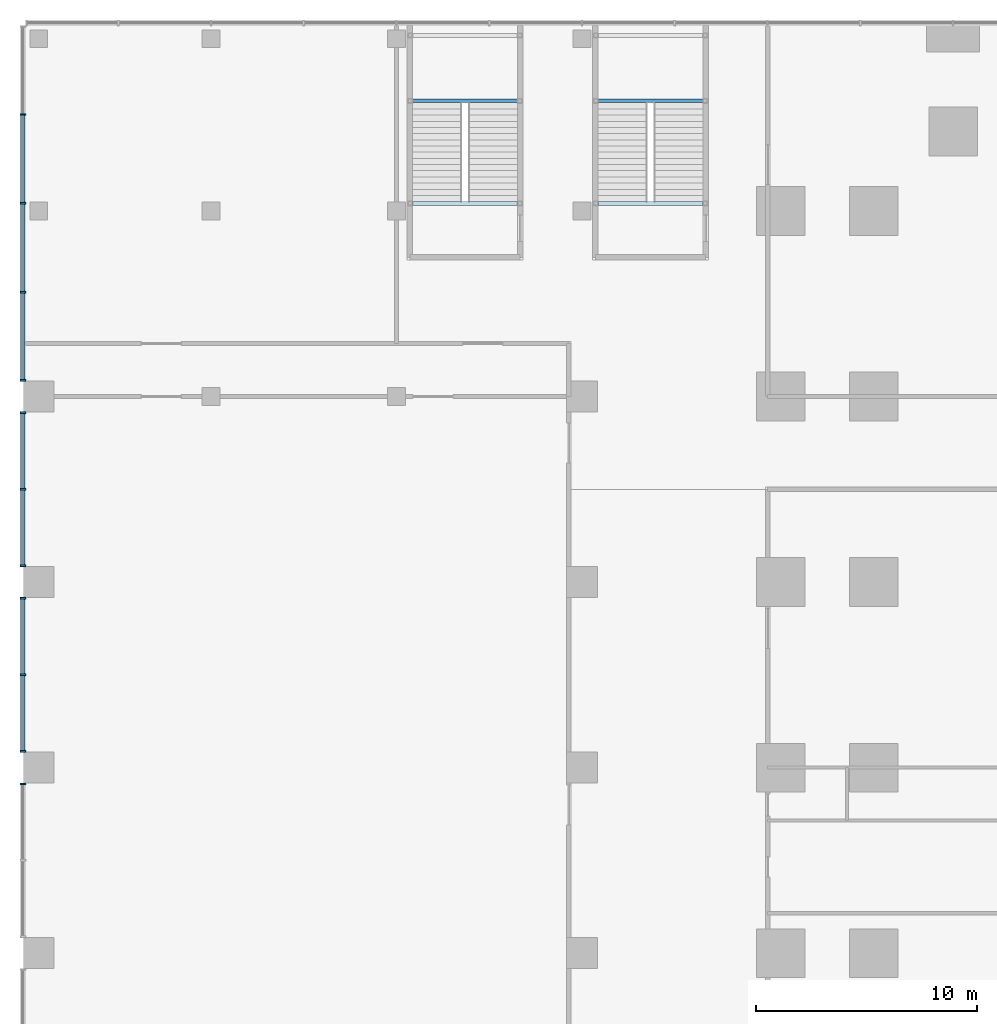
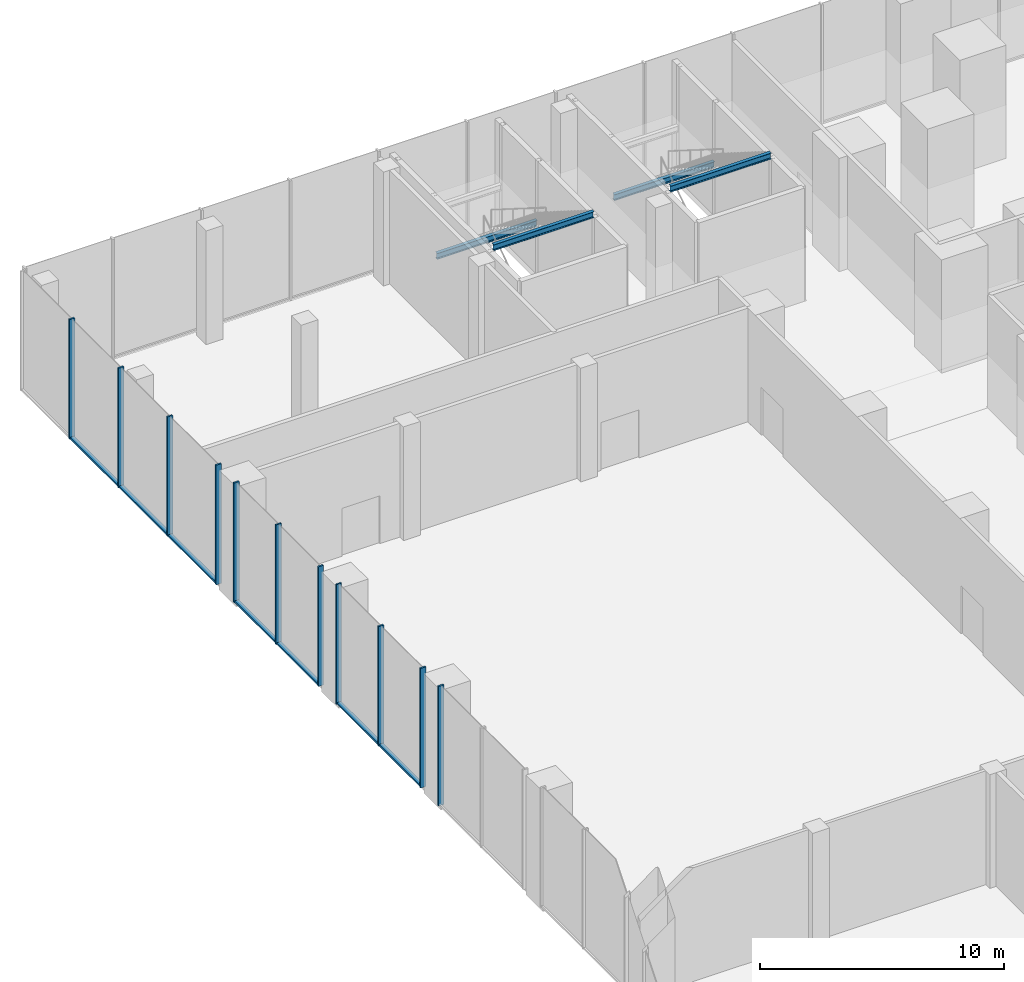
# One storey, part 17 of 32: 18 members, 4 beams, 4 elements without a shape of their own.
"""IFC4 building model written with IfcOpenShell, lengths in metres."""

import ifcopenshell
import ifcopenshell.guid

model = None  # the IFC model being written
_history = None  # IfcOwnerHistory: only IFC2X3 demands one
_inside = {}  # id of a spatial element -> (the spatial element, [elements in it])
_under = {}  # id of a project, library or spatial element -> (it, [spatial elements below it])
_declared = {}  # id of a project -> (the project, [libraries it declares])
_typed = {}  # id of a type object -> (the type object, [elements of that type])
_made_of = {}  # id of a material, layer set ... -> (it, [elements and type objects made of it])


def new_model(schema):
    """Start an empty IFC model of exactly this schema.

    Asked for "IFC4X3", IfcOpenShell would pick the latest addendum, in which some entities
    have other attributes; the version numbers below select the first issue.
    IFC2X3 requires an IfcOwnerHistory on every rooted entity: one is made here for all.
    """
    global model, _history
    if schema == "IFC4X3":
        model = ifcopenshell.file(schema_version=(4, 3, 0, 0))
    else:
        model = ifcopenshell.file(schema=schema)
    _inside.clear()
    _under.clear()
    _declared.clear()
    _typed.clear()
    _made_of.clear()
    _history = None
    if model.schema == "IFC2X3":
        org = make("IfcOrganization", Name="unknown")
        user = make(
            "IfcPersonAndOrganization",
            ThePerson=make("IfcPerson", FamilyName="unknown"),
            TheOrganization=org,
        )
        app = make(
            "IfcApplication",
            ApplicationDeveloper=org,
            Version="unknown",
            ApplicationFullName="unknown",
            ApplicationIdentifier="unknown",
        )
        _history = make(
            "IfcOwnerHistory",
            OwningUser=user,
            OwningApplication=app,
            ChangeAction="ADDED",
            CreationDate=0,
        )
    return model


def make(cls, **values):
    """One entity of the class cls with the attributes given. An attribute that is None is left unset."""
    return model.create_entity(
        cls, **{name: value for name, value in values.items() if value is not None}
    )


def rooted(cls, **values):
    """An entity with a GlobalId (a new one), such as an element, a storey or a relation."""
    return make(cls, GlobalId=ifcopenshell.guid.new(), OwnerHistory=_history, **values)


def si_unit(unit_type, name, prefix=None):
    """IfcSIUnit, for example si_unit("LENGTHUNIT", "METRE", prefix="MILLI")."""
    return make("IfcSIUnit", UnitType=unit_type, Prefix=prefix, Name=name)


def assignment(units):
    """IfcUnitAssignment: the units of a project."""
    return None if units is None else make("IfcUnitAssignment", Units=units)


def point(xyz):
    """IfcCartesianPoint."""
    return None if xyz is None else make("IfcCartesianPoint", Coordinates=xyz)


def direction(xyz):
    """IfcDirection."""
    return None if xyz is None else make("IfcDirection", DirectionRatios=xyz)


def frame(location, z_axis=None, x_axis=None):
    """IfcAxis2Placement3D, a coordinate frame: its origin and axes. An axis left out is left unset."""
    return make(
        "IfcAxis2Placement3D",
        Location=point(location),
        Axis=direction(z_axis),
        RefDirection=direction(x_axis),
    )


def frame_2d(location, x_axis=None):
    """IfcAxis2Placement2D, a coordinate frame in the plane: its origin and x axis."""
    return make(
        "IfcAxis2Placement2D", Location=point(location), RefDirection=direction(x_axis)
    )


def origin():
    """The frame at (0, 0, 0) with its axes left unset."""
    return frame((0.0, 0.0, 0.0))


def origin_2d():
    """The frame at (0, 0) in the plane with its x axis left unset."""
    return frame_2d((0.0, 0.0))


def place(relative_to, where):
    """IfcLocalPlacement: puts the frame where relative to a parent placement (None: the world)."""
    return make(
        "IfcLocalPlacement", PlacementRelTo=relative_to, RelativePlacement=where
    )


def context(
    kind, dimensions, precision=None, world=None, true_north=None, identifier=None
):
    """IfcGeometricRepresentationContext, for example the 3D "Model" context."""
    return make(
        "IfcGeometricRepresentationContext",
        ContextIdentifier=identifier,
        ContextType=kind,
        CoordinateSpaceDimension=dimensions,
        Precision=precision,
        WorldCoordinateSystem=world,
        TrueNorth=true_north,
    )


def subcontext(parent, identifier, kind, view, scale=None):
    """IfcGeometricRepresentationSubContext, for example "Body" below "Model"."""
    return make(
        "IfcGeometricRepresentationSubContext",
        ContextIdentifier=identifier,
        ContextType=kind,
        ParentContext=parent,
        TargetScale=scale,
        TargetView=view,
    )


def project(units=None, contexts=None):
    """IfcProject with its units and contexts."""
    return rooted(
        "IfcProject",
        Name="project",
        RepresentationContexts=contexts,
        UnitsInContext=assignment(units),
    )


def spatial(cls, under=None, at=None, **own):
    """A site, building, storey or space (cls), placed at a placement, below another one or the project."""
    s = rooted(cls, ObjectPlacement=at, **own)
    if under is not None:
        _under.setdefault(under.id(), (under, []))[1].append(s)
    return s


def profile(cls, at=None, kind="AREA", **sizes):
    """A parametric profile (cls). Its sizes go by their IFC names, for example OverallWidth=200.0."""
    return make(cls, ProfileType=kind, Position=at, **sizes)


def rectangle(**sizes):
    """IfcRectangleProfileDef."""
    return profile("IfcRectangleProfileDef", **sizes)


def i_section(**sizes):
    """IfcIShapeProfileDef."""
    return profile("IfcIShapeProfileDef", **sizes)


def extrude(swept, where, along, depth):
    """IfcExtrudedAreaSolid: the profile swept, set in the frame where, extruded along a direction by depth."""
    return make(
        "IfcExtrudedAreaSolid",
        SweptArea=swept,
        Position=where,
        ExtrudedDirection=direction(along),
        Depth=depth,
    )


def shape(context_of_items, identifier, shape_type, items):
    """IfcShapeRepresentation: the items that make up one representation, for example the "Body"."""
    return make(
        "IfcShapeRepresentation",
        ContextOfItems=context_of_items,
        RepresentationIdentifier=identifier,
        RepresentationType=shape_type,
        Items=items,
    )


def material(Name=None, Category=None):
    """IfcMaterial."""
    return make("IfcMaterial", Name=Name, Category=Category)


def material_profile(
    of_material, cross_section, Name=None, Category=None, Priority=None
):
    """IfcMaterialProfile: a cross section and its material."""
    return make(
        "IfcMaterialProfile",
        Name=Name,
        Material=of_material,
        Profile=cross_section,
        Priority=Priority,
        Category=Category,
    )


def profile_set(profiles, Name=None, composite=None):
    """IfcMaterialProfileSet."""
    return make(
        "IfcMaterialProfileSet",
        Name=Name,
        MaterialProfiles=profiles,
        CompositeProfile=composite,
    )


def made_of(thing, what):
    """Note that an element or type object is made of a material, layer set ...; save() writes the relation."""
    if what is not None:
        _made_of.setdefault(what.id(), (what, []))[1].append(thing)
    return thing


def type_object(cls, material=None, **own):
    """A type object (cls), such as IfcWallType, which elements share."""
    return made_of(rooted(cls, **own), material)


def element(
    cls,
    number,
    at=None,
    inside=None,
    cuts=None,
    type_object=None,
    material=None,
    context=None,
    identifier="Body",
    shape_type=None,
    held_by="IfcProductDefinitionShape",
    body=None,
    shapes=None,
    **own,
):
    """One element of the class cls, such as IfcWall. Its Tag is "e" and its number.

    at: its placement. inside: the storey or other place that contains it. cuts: it is an
    opening in that element (IfcRelVoidsElement). A single representation is given by context,
    identifier, shape_type and body (its items); several are given by shapes. held_by: the class
    of the entity that holds the representations. save() writes the other relations.
    """
    e = rooted(cls, Tag="e%d" % number, ObjectPlacement=at, **own)
    if body is not None:
        shapes = [shape(context, identifier, shape_type, body)]
    if shapes is not None:
        e.Representation = make(held_by, Representations=shapes)
    if inside is not None:
        _inside.setdefault(inside.id(), (inside, []))[1].append(e)
    if cuts is not None:
        rooted(
            "IfcRelVoidsElement", RelatingBuildingElement=cuts, RelatedOpeningElement=e
        )
    if type_object is not None:
        _typed.setdefault(type_object.id(), (type_object, []))[1].append(e)
    return made_of(e, material)


def aggregate(whole, parts):
    """IfcRelAggregates: a whole, such as a stair, and the parts it consists of."""
    return rooted("IfcRelAggregates", RelatingObject=whole, RelatedObjects=parts)


def save(model, path):
    """Write the relations noted so far, then the file.

    IfcRelAggregates (storeys below a building ...), IfcRelContainedInSpatialStructure (elements
    in a storey), IfcRelDefinesByType, IfcRelAssociatesMaterial and IfcRelDeclares: one each for
    every whole, place, type object, material and project.
    """
    for whole, parts in _under.values():
        aggregate(whole, parts)
    for where, things in _inside.values():
        rooted(
            "IfcRelContainedInSpatialStructure",
            RelatedElements=things,
            RelatingStructure=where,
        )
    for kind, things in _typed.values():
        rooted("IfcRelDefinesByType", RelatedObjects=things, RelatingType=kind)
    for what, things in _made_of.values():
        rooted("IfcRelAssociatesMaterial", RelatedObjects=things, RelatingMaterial=what)
    for by, libraries in _declared.values():
        rooted("IfcRelDeclares", RelatingContext=by, RelatedDefinitions=libraries)
    model.write(path)


model = new_model("IFC4")

# Units and contexts
model_context = context("Model", 3, precision=1e-05, world=origin(), true_north=direction((0.0, 1.0)))
body_context = subcontext(model_context, "Body", "Model", "MODEL_VIEW")
ifc_project = project(units=[si_unit("LENGTHUNIT", "METRE"), si_unit("AREAUNIT", "SQUARE_METRE"), si_unit("VOLUMEUNIT", "CUBIC_METRE"), si_unit("PLANEANGLEUNIT", "RADIAN"), si_unit("MASSUNIT", "GRAM", prefix="KILO")], contexts=[model_context])

# Site, building, storey
site_placement = place(None, origin())
site = spatial("IfcSite", under=ifc_project, at=site_placement, CompositionType="ELEMENT")
building_placement = place(site_placement, origin())
building = spatial("IfcBuilding", under=site, at=building_placement, Name="Dunama Terrace Hotel", CompositionType="ELEMENT")
storey_placement = place(building_placement, frame((0.0, 0.0, 6.0)))
storey = spatial("IfcBuildingStorey", under=building, at=storey_placement, Name="L01", CompositionType="ELEMENT", Elevation=6.0)

# Curtain wall, members
ifc_material_1 = material(Name="Aluminium curtain wall system", Category="aluminium")
curtain_wall_type = type_object("IfcCurtainWallType", Name="Podium storefront glazing CW-E", PredefinedType="NOTDEFINED", material=ifc_material_1)
curtain_wall_1_placement = place(storey_placement, origin())
curtain_wall_1 = element("IfcCurtainWall", 1, at=curtain_wall_1_placement, inside=storey, type_object=curtain_wall_type, Name="Podium storefront glazing CW-E L01", PredefinedType="NOTDEFINED")
ifc_material_2 = material(Name="Aluminium mullion", Category="aluminium")
ifc_material_profile_1 = material_profile(ifc_material_2, rectangle(XDim=0.080078125, YDim=0.25, at=origin_2d()), Name="CWE MULLION 80X250")
ifc_profile_set_1 = profile_set([ifc_material_profile_1], Name="Aluminium mullion")
member_type_1 = type_object("IfcMemberType", Name="CWE mullion 80x250", PredefinedType="MULLION", material=ifc_profile_set_1)
member_1_placement = place(storey_placement, frame((-33.72509765625, 54.77490234375, 0.0), z_axis=(0.0, 0.0, 1.0), x_axis=(0.0, -1.0, 0.0)))
member_1 = element("IfcMember", 2, at=member_1_placement, type_object=member_type_1, Name="CWE mullion", PredefinedType="MULLION", context=body_context, shape_type="SweptSolid", body=[
    extrude(rectangle(XDim=0.080078125, YDim=0.25, at=origin_2d()), origin(), (0.0, 0.0, 1.0), 6.0),
])
member_2_placement = place(storey_placement, frame((-33.72509765625, 50.75, 0.0), z_axis=(0.0, 0.0, 1.0), x_axis=(0.0, -1.0, 0.0)))
member_2 = element("IfcMember", 3, at=member_2_placement, type_object=member_type_1, Name="CWE mullion", PredefinedType="MULLION", context=body_context, shape_type="SweptSolid", body=[
    extrude(rectangle(XDim=0.080078125, YDim=0.25, at=origin_2d()), origin(), (0.0, 0.0, 1.0), 6.0),
])
member_3_placement = place(storey_placement, frame((-33.72509765625, 46.72509765625, 0.0), z_axis=(0.0, 0.0, 1.0), x_axis=(0.0, -1.0, 0.0)))
member_3 = element("IfcMember", 4, at=member_3_placement, type_object=member_type_1, Name="CWE mullion", PredefinedType="MULLION", context=body_context, shape_type="SweptSolid", body=[
    extrude(rectangle(XDim=0.080078125, YDim=0.25, at=origin_2d()), origin(), (0.0, 0.0, 1.0), 6.0),
])
member_4_placement = place(storey_placement, frame((-33.72509765625, 42.739990234375, 0.0), z_axis=(0.0, 0.0, 1.0), x_axis=(0.0, -1.0, 0.0)))
member_4 = element("IfcMember", 5, at=member_4_placement, type_object=member_type_1, Name="CWE mullion", PredefinedType="MULLION", context=body_context, shape_type="SweptSolid", body=[
    extrude(rectangle(XDim=0.080078125, YDim=0.25, at=origin_2d()), origin(), (0.0, 0.0, 1.0), 6.0),
])

curtain_wall_2_placement = place(storey_placement, origin())
curtain_wall_2 = element("IfcCurtainWall", 6, at=curtain_wall_2_placement, inside=storey, type_object=curtain_wall_type, Name="Podium storefront glazing CW-E L01", PredefinedType="NOTDEFINED")
member_5_placement = place(storey_placement, frame((-33.72509765625, 41.260009765625, 0.0), z_axis=(0.0, 0.0, 1.0), x_axis=(0.0, -1.0, 0.0)))
member_5 = element("IfcMember", 7, at=member_5_placement, type_object=member_type_1, Name="CWE mullion", PredefinedType="MULLION", context=body_context, shape_type="SweptSolid", body=[
    extrude(rectangle(XDim=0.080078125, YDim=0.25, at=origin_2d()), origin(), (0.0, 0.0, 1.0), 6.0),
])
member_6_placement = place(storey_placement, frame((-33.72509765625, 37.800048828125, 0.0), z_axis=(0.0, 0.0, 1.0), x_axis=(0.0, -1.0, 0.0)))
member_6 = element("IfcMember", 8, at=member_6_placement, type_object=member_type_1, Name="CWE mullion", PredefinedType="MULLION", context=body_context, shape_type="SweptSolid", body=[
    extrude(rectangle(XDim=0.080078125, YDim=0.25, at=origin_2d()), origin(), (0.0, 0.0, 1.0), 6.0),
])
member_7_placement = place(storey_placement, frame((-33.72509765625, 34.340087890625, 0.0), z_axis=(0.0, 0.0, 1.0), x_axis=(0.0, -1.0, 0.0)))
member_7 = element("IfcMember", 9, at=member_7_placement, type_object=member_type_1, Name="CWE mullion", PredefinedType="MULLION", context=body_context, shape_type="SweptSolid", body=[
    extrude(rectangle(XDim=0.080078125, YDim=0.25, at=origin_2d()), origin(), (0.0, 0.0, 1.0), 6.0),
])

curtain_wall_3_placement = place(storey_placement, origin())
curtain_wall_3 = element("IfcCurtainWall", 10, at=curtain_wall_3_placement, inside=storey, type_object=curtain_wall_type, Name="Podium storefront glazing CW-E L01", PredefinedType="NOTDEFINED")
member_8_placement = place(storey_placement, frame((-33.72509765625, 32.860107421875, 0.0), z_axis=(0.0, 0.0, 1.0), x_axis=(0.0, -1.0, 0.0)))
member_8 = element("IfcMember", 11, at=member_8_placement, type_object=member_type_1, Name="CWE mullion", PredefinedType="MULLION", context=body_context, shape_type="SweptSolid", body=[
    extrude(rectangle(XDim=0.080078125, YDim=0.25, at=origin_2d()), origin(), (0.0, 0.0, 1.0), 6.0),
])
member_9_placement = place(storey_placement, frame((-33.72509765625, 29.39990234375, 0.0), z_axis=(0.0, 0.0, 1.0), x_axis=(0.0, -1.0, 0.0)))
member_9 = element("IfcMember", 12, at=member_9_placement, type_object=member_type_1, Name="CWE mullion", PredefinedType="MULLION", context=body_context, shape_type="SweptSolid", body=[
    extrude(rectangle(XDim=0.080078125, YDim=0.25, at=origin_2d()), origin(), (0.0, 0.0, 1.0), 6.0),
])
member_10_placement = place(storey_placement, frame((-33.72509765625, 25.93994140625, 0.0), z_axis=(0.0, 0.0, 1.0), x_axis=(0.0, -1.0, 0.0)))
member_10 = element("IfcMember", 13, at=member_10_placement, type_object=member_type_1, Name="CWE mullion", PredefinedType="MULLION", context=body_context, shape_type="SweptSolid", body=[
    extrude(rectangle(XDim=0.080078125, YDim=0.25, at=origin_2d()), origin(), (0.0, 0.0, 1.0), 6.0),
])

# Curtain wall, member
curtain_wall_4_placement = place(storey_placement, origin())
curtain_wall_4 = element("IfcCurtainWall", 14, at=curtain_wall_4_placement, inside=storey, type_object=curtain_wall_type, Name="Podium storefront glazing CW-E L01", PredefinedType="NOTDEFINED")
member_11_placement = place(storey_placement, frame((-33.72509765625, 24.4599609375, 0.0), z_axis=(0.0, 0.0, 1.0), x_axis=(0.0, -1.0, 0.0)))
member_11 = element("IfcMember", 15, at=member_11_placement, type_object=member_type_1, Name="CWE mullion", PredefinedType="MULLION", context=body_context, shape_type="SweptSolid", body=[
    extrude(rectangle(XDim=0.080078125, YDim=0.25, at=origin_2d()), origin(), (0.0, 0.0, 1.0), 6.0),
])
aggregate(curtain_wall_4, [member_11])

# Member
ifc_material_3 = material(Name="Aluminium transom", Category="aluminium")
ifc_material_profile_2 = material_profile(ifc_material_3, rectangle(XDim=0.199951171875, YDim=0.090087890625, at=origin_2d()), Name="CWE TRANSOM 200X90")
ifc_profile_set_2 = profile_set([ifc_material_profile_2], Name="Aluminium transom")
member_type_2 = type_object("IfcMemberType", Name="CWE transom 200x90", PredefinedType="USERDEFINED", material=ifc_profile_set_2)
member_12_placement = place(storey_placement, frame((-33.72509765625, 54.735107421875, 0.044921875), z_axis=(0.0, -1.0, 0.0), x_axis=(1.0, 0.0, 0.0)))
member_12 = element("IfcMember", 16, at=member_12_placement, type_object=member_type_2, Name="CWE transom", ObjectType="TRANSOM", PredefinedType="USERDEFINED", context=body_context, shape_type="SweptSolid", body=[
    extrude(rectangle(XDim=0.199951171875, YDim=0.090087890625, at=origin_2d()), origin(), (0.0, 0.0, 1.0), 3.945068359375),
])

member_13_placement = place(storey_placement, frame((-33.72509765625, 50.7099609375, 0.044921875), z_axis=(0.0, -1.0, 0.0), x_axis=(1.0, 0.0, 0.0)))
member_13 = element("IfcMember", 17, at=member_13_placement, type_object=member_type_2, Name="CWE transom", ObjectType="TRANSOM", PredefinedType="USERDEFINED", context=body_context, shape_type="SweptSolid", body=[
    extrude(rectangle(XDim=0.199951171875, YDim=0.090087890625, at=origin_2d()), origin(), (0.0, 0.0, 1.0), 3.945068359375),
])

member_14_placement = place(storey_placement, frame((-33.72509765625, 46.68505859375, 0.044921875), z_axis=(0.0, -1.0, 0.0), x_axis=(1.0, 0.0, 0.0)))
member_14 = element("IfcMember", 18, at=member_14_placement, type_object=member_type_2, Name="CWE transom", ObjectType="TRANSOM", PredefinedType="USERDEFINED", context=body_context, shape_type="SweptSolid", body=[
    extrude(rectangle(XDim=0.199951171875, YDim=0.090087890625, at=origin_2d()), origin(), (0.0, 0.0, 1.0), 3.905029296875),
])

aggregate(curtain_wall_1, [member_1, member_2, member_3, member_4, member_12, member_13, member_14])

member_15_placement = place(storey_placement, frame((-33.72509765625, 41.219970703125, 0.044921875), z_axis=(0.0, -1.0, 0.0), x_axis=(1.0, 0.0, 0.0)))
member_15 = element("IfcMember", 19, at=member_15_placement, type_object=member_type_2, Name="CWE transom", ObjectType="TRANSOM", PredefinedType="USERDEFINED", context=body_context, shape_type="SweptSolid", body=[
    extrude(rectangle(XDim=0.199951171875, YDim=0.090087890625, at=origin_2d()), origin(), (0.0, 0.0, 1.0), 3.3798828125),
])

member_16_placement = place(storey_placement, frame((-33.72509765625, 37.760009765625, 0.044921875), z_axis=(0.0, -1.0, 0.0), x_axis=(1.0, 0.0, 0.0)))
member_16 = element("IfcMember", 20, at=member_16_placement, type_object=member_type_2, Name="CWE transom", ObjectType="TRANSOM", PredefinedType="USERDEFINED", context=body_context, shape_type="SweptSolid", body=[
    extrude(rectangle(XDim=0.199951171875, YDim=0.090087890625, at=origin_2d()), origin(), (0.0, 0.0, 1.0), 3.380126953125),
])

aggregate(curtain_wall_2, [member_5, member_6, member_7, member_15, member_16])

member_17_placement = place(storey_placement, frame((-33.72509765625, 32.820068359375, 0.044921875), z_axis=(0.0, -1.0, 0.0), x_axis=(1.0, 0.0, 0.0)))
member_17 = element("IfcMember", 21, at=member_17_placement, type_object=member_type_2, Name="CWE transom", ObjectType="TRANSOM", PredefinedType="USERDEFINED", context=body_context, shape_type="SweptSolid", body=[
    extrude(rectangle(XDim=0.199951171875, YDim=0.090087890625, at=origin_2d()), origin(), (0.0, 0.0, 1.0), 3.380126953125),
])

member_18_placement = place(storey_placement, frame((-33.72509765625, 29.360107421875, 0.044921875), z_axis=(0.0, -1.0, 0.0), x_axis=(1.0, 0.0, 0.0)))
member_18 = element("IfcMember", 22, at=member_18_placement, type_object=member_type_2, Name="CWE transom", ObjectType="TRANSOM", PredefinedType="USERDEFINED", context=body_context, shape_type="SweptSolid", body=[
    extrude(rectangle(XDim=0.199951171875, YDim=0.090087890625, at=origin_2d()), origin(), (0.0, 0.0, 1.0), 3.380126953125),
])

aggregate(curtain_wall_3, [member_8, member_9, member_10, member_17, member_18])

# Beams
ifc_material_4 = material(Name="Steel S355", Category="steel")
ifc_material_profile_3 = material_profile(ifc_material_4, i_section(OverallWidth=0.1650390625, OverallDepth=0.303466796875, WebThickness=0.006103515625, FlangeThickness=0.01025390625, FilletRadius=0.0087890625, at=origin_2d()), Name="UB 305x165x40")
ifc_profile_set_3 = profile_set([ifc_material_profile_3], Name="Steel S355")
beam_type = type_object("IfcBeamType", Name="Stair beam UB 305x165x40", PredefinedType="BEAM", material=ifc_profile_set_3)
for number, where, z_axis, x_axis, name in (
    (23, (-16.074951171875, 50.742431640625, 5.848388671875), (1.0, 0.0, 0.0), (0.0, 1.0, 0.0), "Stair trimmer P1 at L02"),
    (24, (-16.074951171875, 55.387451171875, 2.598388671875), (1.0, 0.0, 0.0), (0.0, 1.0, 0.0), "Stair landing beam P1 L01 front"),
    (25, (-7.675048828125, 50.742431640625, 5.848388671875), (1.0, 0.0, 0.0), (0.0, 1.0, 0.0), "Stair trimmer P3 at L02"),
    (26, (-7.675048828125, 55.387451171875, 2.598388671875), (1.0, 0.0, 0.0), (0.0, 1.0, 0.0), "Stair landing beam P3 L01 front"),
):
    element("IfcBeam", number, at=place(storey_placement, frame(where, z_axis=z_axis, x_axis=x_axis)), inside=storey, type_object=beam_type, Name=name, PredefinedType="BEAM", context=body_context, shape_type="SweptSolid", body=[
        extrude(i_section(OverallWidth=0.1650390625, OverallDepth=0.303466796875, WebThickness=0.006103515625, FlangeThickness=0.01025390625, FilletRadius=0.0087890625, at=origin_2d()), origin(), (0.0, 0.0, 1.0), 4.75),
    ])

save(model, "model.ifc")
